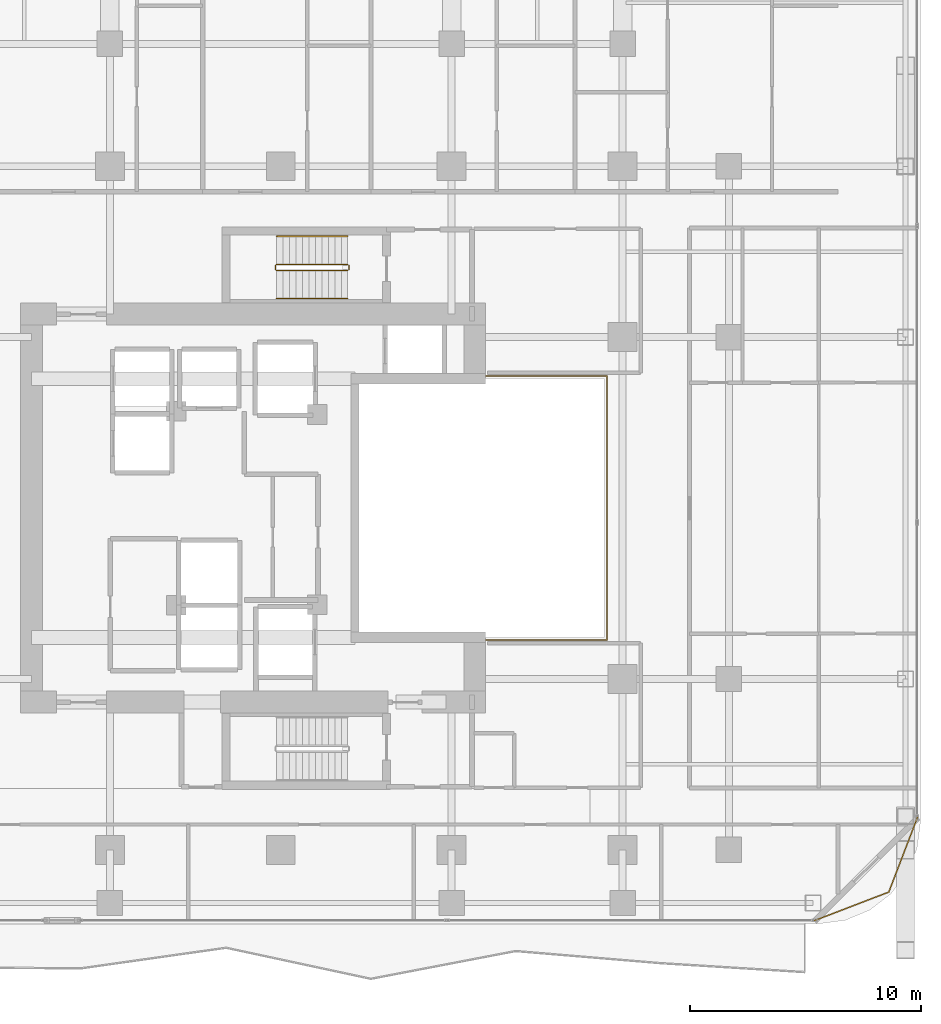
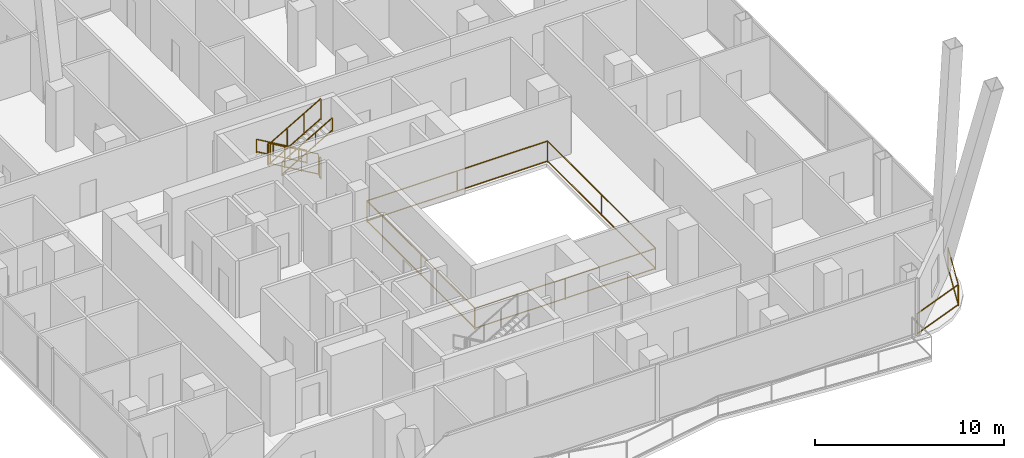
# One storey, part 27 of 28: 8 railings.
"""IFC4 building model written with IfcOpenShell, lengths in metres."""

from ifc_helpers import new_model, si_unit, direction, frame, origin, origin_2d, place, context, subcontext, project, spatial, rectangle, extrude, material, type_object, element, save


model = new_model("IFC4")

# Units and contexts
model_context = context("Model", 3, precision=1e-05, world=origin(), true_north=direction((0.0, 1.0)))
body_context = subcontext(model_context, "Body", "Model", "MODEL_VIEW")
ifc_project = project(units=[si_unit("LENGTHUNIT", "METRE"), si_unit("AREAUNIT", "SQUARE_METRE"), si_unit("VOLUMEUNIT", "CUBIC_METRE"), si_unit("PLANEANGLEUNIT", "RADIAN"), si_unit("MASSUNIT", "GRAM", prefix="KILO")], contexts=[model_context])

# Site, building, storey
site_placement = place(None, origin())
site = spatial("IfcSite", under=ifc_project, at=site_placement, CompositionType="ELEMENT")
building_placement = place(site_placement, origin())
building = spatial("IfcBuilding", under=site, at=building_placement, Name="Khorvyn Point Tower", CompositionType="ELEMENT")
storey_placement = place(building_placement, frame((0.0, 0.0, 121.199951171875)))
storey = spatial("IfcBuildingStorey", under=building, at=storey_placement, Name="L30", CompositionType="ELEMENT", Elevation=121.199951171875)

# Railings
ifc_material_1 = material(Name="Stainless steel 1.4401 and laminated glass", Category="steel")
railing_type_1 = type_object("IfcRailingType", Name="Crystal Atrium Smoke-Rated Perimeter Guardrail 1400", PredefinedType="GUARDRAIL", material=ifc_material_1)
railing_1_placement = place(storey_placement, frame((3.080078125, -5.719970703125, 0.0)))
element("IfcRailing", 1, at=railing_1_placement, inside=storey, type_object=railing_type_1, Name="L30 Crystal Atrium Perimeter Guardrail", PredefinedType="GUARDRAIL", context=body_context, shape_type="SweptSolid", body=[
    extrude(rectangle(XDim=0.048095703125, YDim=0.048095703125, at=origin_2d()), frame((0.0, 0.0, 1.3759765625), z_axis=(1.0, 0.0, 0.0), x_axis=(0.0, 1.0, 0.0)), (0.0, 0.0, 1.0), 11.0400390625),
    extrude(rectangle(XDim=0.048095703125, YDim=0.048095703125, at=origin_2d()), frame((0.0, 0.0, 0.080078125), z_axis=(1.0, 0.0, 0.0), x_axis=(0.0, 1.0, 0.0)), (0.0, 0.0, 1.0), 11.0400390625),
    extrude(rectangle(XDim=0.048095703125, YDim=0.048095703125, at=origin_2d()), frame((11.0400390625, 0.0, 1.3759765625), z_axis=(0.0, 1.0, 0.0), x_axis=(-1.0, 0.0, 0.0)), (0.0, 0.0, 1.0), 11.43994140625),
    extrude(rectangle(XDim=0.048095703125, YDim=0.048095703125, at=origin_2d()), frame((11.0400390625, 0.0, 0.080078125), z_axis=(0.0, 1.0, 0.0), x_axis=(-1.0, 0.0, 0.0)), (0.0, 0.0, 1.0), 11.43994140625),
    extrude(rectangle(XDim=0.048095703125, YDim=0.048095703125, at=origin_2d()), frame((11.0400390625, 11.43994140625, 1.3759765625), z_axis=(-1.0, 0.0, 0.0), x_axis=(0.0, -1.0, 0.0)), (0.0, 0.0, 1.0), 11.0400390625),
    extrude(rectangle(XDim=0.048095703125, YDim=0.048095703125, at=origin_2d()), frame((11.0400390625, 11.43994140625, 0.080078125), z_axis=(-1.0, 0.0, 0.0), x_axis=(0.0, -1.0, 0.0)), (0.0, 0.0, 1.0), 11.0400390625),
    extrude(rectangle(XDim=0.048095703125, YDim=0.048095703125, at=origin_2d()), frame((0.0, 11.43994140625, 1.3759765625), z_axis=(0.0, -1.0, 0.0), x_axis=(1.0, 0.0, 0.0)), (0.0, 0.0, 1.0), 11.409912109375),
    extrude(rectangle(XDim=0.048095703125, YDim=0.048095703125, at=origin_2d()), frame((0.0, 11.43994140625, 0.080078125), z_axis=(0.0, -1.0, 0.0), x_axis=(1.0, 0.0, 0.0)), (0.0, 0.0, 1.0), 11.409912109375),
    extrude(rectangle(XDim=0.0419921875, YDim=0.0419921875, at=origin_2d()), origin(), (0.0, 0.0, 1.0), 1.351806640625),
    extrude(rectangle(XDim=0.0419921875, YDim=0.0419921875, at=origin_2d()), frame((5.52001953125, 0.0, 0.0)), (0.0, 0.0, 1.0), 1.351806640625),
    extrude(rectangle(XDim=0.0419921875, YDim=0.0419921875, at=origin_2d()), frame((11.0400390625, 0.0, 0.0)), (0.0, 0.0, 1.0), 1.351806640625),
    extrude(rectangle(XDim=0.0419921875, YDim=0.0419921875, at=origin_2d()), frame((11.0400390625, 5.719970703125, 0.0)), (0.0, 0.0, 1.0), 1.351806640625),
    extrude(rectangle(XDim=0.0419921875, YDim=0.0419921875, at=origin_2d()), frame((11.0400390625, 11.43994140625, 0.0)), (0.0, 0.0, 1.0), 1.351806640625),
    extrude(rectangle(XDim=0.0419921875, YDim=0.0419921875, at=origin_2d()), frame((5.52001953125, 11.43994140625, 0.0)), (0.0, 0.0, 1.0), 1.351806640625),
    extrude(rectangle(XDim=0.0419921875, YDim=0.0419921875, at=origin_2d()), frame((0.0, 11.43994140625, 0.0)), (0.0, 0.0, 1.0), 1.351806640625),
    extrude(rectangle(XDim=0.0419921875, YDim=0.0419921875, at=origin_2d()), frame((0.0, 5.73486328125, 0.0)), (0.0, 0.0, 1.0), 1.351806640625),
    extrude(rectangle(XDim=0.0419921875, YDim=0.0419921875, at=origin_2d()), frame((0.0, 0.030029296875, 0.0)), (0.0, 0.0, 1.0), 1.351806640625),
])
ifc_material_2 = material(Name="Anodised aluminium 6063-T6 and laminated safety glass", Category="aluminium")
railing_type_2 = type_object("IfcRailingType", Name="Laminated Glass and Aluminium Balcony Guardrail 1400", PredefinedType="BALUSTRADE", material=ifc_material_2)
railing_2_placement = place(storey_placement, frame((23.075927734375, -17.8740234375, 0.0)))
element("IfcRailing", 2, at=railing_2_placement, inside=storey, type_object=railing_type_2, Name="L30 Rounded Corner Edge Guardrail SE", PredefinedType="BALUSTRADE", context=body_context, shape_type="SweptSolid", body=[
    extrude(rectangle(XDim=0.048095703125, YDim=0.048095703125, at=origin_2d()), frame((0.0, 0.0, 1.3759765625), z_axis=(0.933598390295, 0.358321148746, 0.0), x_axis=(-0.358321148746, 0.933598390295, 0.0)), (0.0, 0.0, 1.0), 3.481689453125),
    extrude(rectangle(XDim=0.048095703125, YDim=0.048095703125, at=origin_2d()), frame((0.0, 0.0, 0.080078125), z_axis=(0.933598390295, 0.358321148746, 0.0), x_axis=(-0.358321148746, 0.933598390295, 0.0)), (0.0, 0.0, 1.0), 3.481689453125),
    extrude(rectangle(XDim=0.048095703125, YDim=0.048095703125, at=origin_2d()), frame((3.25048828125, 1.24755859375, 1.3759765625), z_axis=(0.358382264808, 0.933574931257, 0.0), x_axis=(-0.933574931257, 0.358382264808, 0.0)), (0.0, 0.0, 1.0), 3.481689453125),
    extrude(rectangle(XDim=0.048095703125, YDim=0.048095703125, at=origin_2d()), frame((3.25048828125, 1.24755859375, 0.080078125), z_axis=(0.358382264808, 0.933574931257, 0.0), x_axis=(-0.933574931257, 0.358382264808, 0.0)), (0.0, 0.0, 1.0), 3.481689453125),
    extrude(rectangle(XDim=0.0419921875, YDim=0.0419921875, at=origin_2d()), origin(), (0.0, 0.0, 1.0), 1.351806640625),
    extrude(rectangle(XDim=0.0419921875, YDim=0.0419921875, at=origin_2d()), frame((3.25048828125, 1.24755859375, 0.0)), (0.0, 0.0, 1.0), 1.351806640625),
    extrude(rectangle(XDim=0.0419921875, YDim=0.0419921875, at=origin_2d()), frame((4.498291015625, 4.498046875, 0.0)), (0.0, 0.0, 1.0), 1.351806640625),
])
ifc_material_3 = material(Name="Stainless steel 1.4301", Category="steel")
railing_type_3 = type_object("IfcRailingType", Name="Stainless Steel 304 Stair Pitch Handrail 900", PredefinedType="HANDRAIL", material=ifc_material_3)
railing_3_placement = place(storey_placement, frame((2.89990234375, 11.77001953125, 0.16259765625)))
element("IfcRailing", 3, at=railing_3_placement, inside=storey, type_object=railing_type_3, Name="L30 ST-02 stair handrail 1", PredefinedType="HANDRAIL", context=body_context, shape_type="SweptSolid", body=[
    extrude(rectangle(XDim=0.048095703125, YDim=0.048095703125, at=origin_2d()), frame((0.0, 0.0, 0.8759765625), z_axis=(-0.864903211148, 0.0, 0.501938676878), x_axis=(0.0, -1.0, 0.0)), (0.0, 0.0, 1.0), 3.560791015625),
    extrude(rectangle(XDim=0.048095703125, YDim=0.048095703125, at=origin_2d()), frame((0.0, 0.0, 0.080078125), z_axis=(-0.864903211148, 0.0, 0.501938676878), x_axis=(0.0, -1.0, 0.0)), (0.0, 0.0, 1.0), 3.560791015625),
    extrude(rectangle(XDim=0.0419921875, YDim=0.0419921875, at=origin_2d()), origin(), (0.0, 0.0, 1.0), 0.851806640625),
    extrude(rectangle(XDim=0.0419921875, YDim=0.0419921875, at=origin_2d()), frame((-1.026611328125, 0.0, 0.595703125)), (0.0, 0.0, 1.0), 0.851806640625),
    extrude(rectangle(XDim=0.0419921875, YDim=0.0419921875, at=origin_2d()), frame((-2.05322265625, 0.0, 1.191650390625)), (0.0, 0.0, 1.0), 0.851806640625),
    extrude(rectangle(XDim=0.0419921875, YDim=0.0419921875, at=origin_2d()), frame((-3.079833984375, 0.0, 1.787353515625)), (0.0, 0.0, 1.0), 0.851806640625),
])
railing_4_placement = place(storey_placement, frame((-0.179931640625, 9.070068359375, 2.112548828125)))
element("IfcRailing", 4, at=railing_4_placement, inside=storey, type_object=railing_type_3, Name="L30 ST-02 stair handrail 2", PredefinedType="HANDRAIL", context=body_context, shape_type="SweptSolid", body=[
    extrude(rectangle(XDim=0.048095703125, YDim=0.048095703125, at=origin_2d()), frame((0.0, 0.0, 0.8759765625), z_axis=(0.864873446163, 0.0, 0.501989962173), x_axis=(0.0, 1.0, 0.0)), (0.0, 0.0, 1.0), 3.56103515625),
    extrude(rectangle(XDim=0.048095703125, YDim=0.048095703125, at=origin_2d()), frame((0.0, 0.0, 0.080078125), z_axis=(0.864873446163, 0.0, 0.501989962173), x_axis=(0.0, 1.0, 0.0)), (0.0, 0.0, 1.0), 3.56103515625),
    extrude(rectangle(XDim=0.0419921875, YDim=0.0419921875, at=origin_2d()), origin(), (0.0, 0.0, 1.0), 0.851806640625),
    extrude(rectangle(XDim=0.0419921875, YDim=0.0419921875, at=origin_2d()), frame((1.026611328125, 0.0, 0.595947265625)), (0.0, 0.0, 1.0), 0.851806640625),
    extrude(rectangle(XDim=0.0419921875, YDim=0.0419921875, at=origin_2d()), frame((2.05322265625, 0.0, 1.191650390625)), (0.0, 0.0, 1.0), 0.851806640625),
    extrude(rectangle(XDim=0.0419921875, YDim=0.0419921875, at=origin_2d()), frame((3.079833984375, 0.0, 1.78759765625)), (0.0, 0.0, 1.0), 0.851806640625),
])
railing_type_4 = type_object("IfcRailingType", Name="Stainless Steel 304 Stair Well Guardrail 1400", PredefinedType="GUARDRAIL", material=ifc_material_3)
railing_5_placement = place(storey_placement, frame((2.89990234375, 10.550048828125, 0.16259765625)))
element("IfcRailing", 5, at=railing_5_placement, inside=storey, type_object=railing_type_4, Name="L30 ST-02 stair guard 1", PredefinedType="GUARDRAIL", context=body_context, shape_type="SweptSolid", body=[
    extrude(rectangle(XDim=0.048095703125, YDim=0.048095703125, at=origin_2d()), frame((0.0, 0.0, 1.3759765625), z_axis=(-0.864903211148, 0.0, 0.501938676878), x_axis=(0.0, -1.0, 0.0)), (0.0, 0.0, 1.0), 3.560791015625),
    extrude(rectangle(XDim=0.048095703125, YDim=0.048095703125, at=origin_2d()), frame((0.0, 0.0, 0.080078125), z_axis=(-0.864903211148, 0.0, 0.501938676878), x_axis=(0.0, -1.0, 0.0)), (0.0, 0.0, 1.0), 3.560791015625),
    extrude(rectangle(XDim=0.0419921875, YDim=0.0419921875, at=origin_2d()), origin(), (0.0, 0.0, 1.0), 1.351806640625),
    extrude(rectangle(XDim=0.0419921875, YDim=0.0419921875, at=origin_2d()), frame((-1.026611328125, 0.0, 0.595703125)), (0.0, 0.0, 1.0), 1.351806640625),
    extrude(rectangle(XDim=0.0419921875, YDim=0.0419921875, at=origin_2d()), frame((-2.05322265625, 0.0, 1.191650390625)), (0.0, 0.0, 1.0), 1.351806640625),
    extrude(rectangle(XDim=0.0419921875, YDim=0.0419921875, at=origin_2d()), frame((-3.079833984375, 0.0, 1.787353515625)), (0.0, 0.0, 1.0), 1.351806640625),
])
railing_6_placement = place(storey_placement, frame((-0.22998046875, 10.5, 1.949951171875)))
element("IfcRailing", 6, at=railing_6_placement, inside=storey, type_object=railing_type_4, Name="L30 ST-02 stair guard 2", PredefinedType="GUARDRAIL", context=body_context, shape_type="SweptSolid", body=[
    extrude(rectangle(XDim=0.048095703125, YDim=0.048095703125, at=origin_2d()), frame((0.0, 0.0, 1.3759765625), z_axis=(0.0, -1.0, 0.0), x_axis=(1.0, 0.0, 0.0)), (0.0, 0.0, 1.0), 0.159912109375),
    extrude(rectangle(XDim=0.048095703125, YDim=0.048095703125, at=origin_2d()), frame((0.0, 0.0, 0.080078125), z_axis=(0.0, -1.0, 0.0), x_axis=(1.0, 0.0, 0.0)), (0.0, 0.0, 1.0), 0.159912109375),
    extrude(rectangle(XDim=0.0419921875, YDim=0.0419921875, at=origin_2d()), origin(), (0.0, 0.0, 1.0), 1.351806640625),
    extrude(rectangle(XDim=0.0419921875, YDim=0.0419921875, at=origin_2d()), frame((0.0, -0.159912109375, 0.0)), (0.0, 0.0, 1.0), 1.351806640625),
])
railing_7_placement = place(storey_placement, frame((-0.179931640625, 10.2900390625, 2.112548828125)))
element("IfcRailing", 7, at=railing_7_placement, inside=storey, type_object=railing_type_4, Name="L30 ST-02 stair guard 3", PredefinedType="GUARDRAIL", context=body_context, shape_type="SweptSolid", body=[
    extrude(rectangle(XDim=0.048095703125, YDim=0.048095703125, at=origin_2d()), frame((0.0, 0.0, 1.3759765625), z_axis=(0.864873446163, 0.0, 0.501989962173), x_axis=(0.0, 1.0, 0.0)), (0.0, 0.0, 1.0), 3.56103515625),
    extrude(rectangle(XDim=0.048095703125, YDim=0.048095703125, at=origin_2d()), frame((0.0, 0.0, 0.080078125), z_axis=(0.864873446163, 0.0, 0.501989962173), x_axis=(0.0, 1.0, 0.0)), (0.0, 0.0, 1.0), 3.56103515625),
    extrude(rectangle(XDim=0.0419921875, YDim=0.0419921875, at=origin_2d()), origin(), (0.0, 0.0, 1.0), 1.351806640625),
    extrude(rectangle(XDim=0.0419921875, YDim=0.0419921875, at=origin_2d()), frame((1.026611328125, 0.0, 0.595947265625)), (0.0, 0.0, 1.0), 1.351806640625),
    extrude(rectangle(XDim=0.0419921875, YDim=0.0419921875, at=origin_2d()), frame((2.05322265625, 0.0, 1.191650390625)), (0.0, 0.0, 1.0), 1.351806640625),
    extrude(rectangle(XDim=0.0419921875, YDim=0.0419921875, at=origin_2d()), frame((3.079833984375, 0.0, 1.78759765625)), (0.0, 0.0, 1.0), 1.351806640625),
])
railing_8_placement = place(storey_placement, frame((2.949951171875, 10.5, 0.0)))
element("IfcRailing", 8, at=railing_8_placement, inside=storey, type_object=railing_type_4, Name="L30 ST-02 stair guard 4", PredefinedType="GUARDRAIL", context=body_context, shape_type="SweptSolid", body=[
    extrude(rectangle(XDim=0.048095703125, YDim=0.048095703125, at=origin_2d()), frame((0.0, 0.0, 1.3759765625), z_axis=(0.0, -1.0, 0.0), x_axis=(1.0, 0.0, 0.0)), (0.0, 0.0, 1.0), 0.159912109375),
    extrude(rectangle(XDim=0.048095703125, YDim=0.048095703125, at=origin_2d()), frame((0.0, 0.0, 0.080078125), z_axis=(0.0, -1.0, 0.0), x_axis=(1.0, 0.0, 0.0)), (0.0, 0.0, 1.0), 0.159912109375),
    extrude(rectangle(XDim=0.0419921875, YDim=0.0419921875, at=origin_2d()), origin(), (0.0, 0.0, 1.0), 1.351806640625),
    extrude(rectangle(XDim=0.0419921875, YDim=0.0419921875, at=origin_2d()), frame((0.0, -0.159912109375, 0.0)), (0.0, 0.0, 1.0), 1.351806640625),
])

save(model, "model.ifc")
